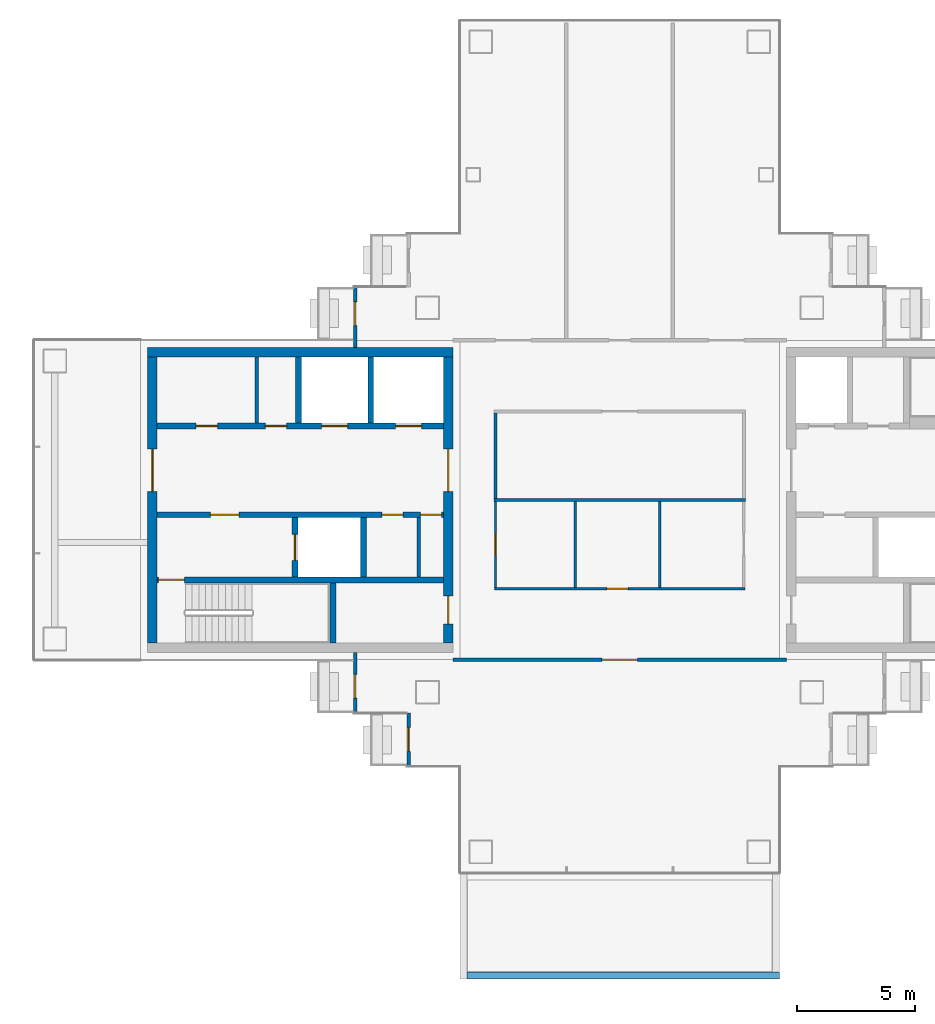
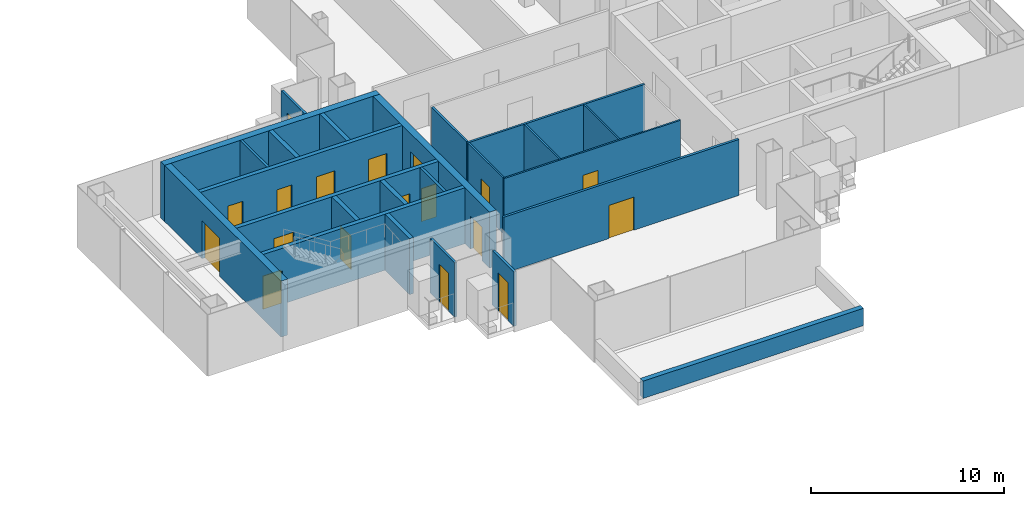
# One storey, part 11 of 16: 24 walls, 18 doors, 18 openings.
"""IFC4 building model written with IfcOpenShell, lengths in metres."""

from ifc_helpers import new_model, si_unit, direction, frame, frame_2d, origin, place, context, subcontext, project, spatial, rectangle, extrude, material, layer, layer_set, type_object, element, fill, save


model = new_model("IFC4")

# Units and contexts
model_context = context("Model", 3, precision=1e-05, world=origin(), true_north=direction((0.0, 1.0)))
body_context = subcontext(model_context, "Body", "Model", "MODEL_VIEW")
ifc_project = project(units=[si_unit("LENGTHUNIT", "METRE"), si_unit("AREAUNIT", "SQUARE_METRE"), si_unit("VOLUMEUNIT", "CUBIC_METRE"), si_unit("PLANEANGLEUNIT", "RADIAN"), si_unit("MASSUNIT", "GRAM", prefix="KILO")], contexts=[model_context])

# Site, building, storey
site_placement = place(None, origin())
site = spatial("IfcSite", under=ifc_project, at=site_placement, CompositionType="ELEMENT")
building_placement = place(site_placement, origin())
building = spatial("IfcBuilding", under=site, at=building_placement, Name="Shamsa Quay Exchange Towers", CompositionType="ELEMENT")
storey_placement = place(building_placement, frame((0.0, 0.0, 182.699951171875)))
storey = spatial("IfcBuildingStorey", under=building, at=storey_placement, Name="L43", CompositionType="ELEMENT", Elevation=182.699951171875)

# Wall, opening, door
ifc_material_1 = material(Name="Aluminium EN AW-6063 T6, black anodised, with black enamelled glass infill", Category="aluminium")
ifc_layer_1 = layer(ifc_material_1, 0.14990234375)
ifc_layer_set_1 = layer_set([ifc_layer_1], Name="BALCONY DOOR BAY WALL 150")
wall_type_1 = type_object("IfcWallType", Name="BALCONY DOOR BAY WALL 150", PredefinedType="SOLIDWALL", material=ifc_layer_set_1)
wall_1_placement = place(storey_placement, frame((22.574951171875, 6.447998046875, 0.0), z_axis=(0.0, 0.0, 1.0), x_axis=(0.0, 1.0, 0.0)))
wall_1 = element("IfcWall", 1, at=wall_1_placement, inside=storey, type_object=wall_type_1, Name="Door bay T2-PKEN L43", PredefinedType="SOLIDWALL", context=body_context, shape_type="SweptSolid", body=[
    extrude(rectangle(XDim=2.552001953125, YDim=0.14990234375, at=frame_2d((1.27587890625, 0.0))), origin(), (0.0, 0.0, 1.0), 3.449951171875),
])
opening_1_placement = place(wall_1_placement, frame((0.927001953125, 0.0, 0.0)))
opening_1 = element("IfcOpeningElement", 2, at=opening_1_placement, cuts=wall_1, Name="Opening XD274", PredefinedType="OPENING", context=body_context, shape_type="SweptSolid", body=[
    extrude(rectangle(XDim=1.0, YDim=2.39990234375, at=frame_2d((0.5, 1.199951171875))), frame((0.0, 0.0849609375, 0.0), z_axis=(0.0, -1.0, 0.0), x_axis=(1.0, 0.0, 0.0)), (0.0, 0.0, 1.0), 0.169921875),
])
ifc_material_2 = material(Name="Aluminium EN AW-6063 T6, black anodised, with laminated glass leaf", Category="aluminium")
door_type_1 = type_object("IfcDoorType", Name="BALCONY DOOR 1000x2400", OperationType="SINGLE_SWING_LEFT", PredefinedType="DOOR", material=ifc_material_2)
door_1_placement = place(opening_1_placement, origin())
door_1 = element("IfcDoor", 3, at=door_1_placement, inside=storey, type_object=door_type_1, Name="Balcony door T2-PKEN L43", OperationType="SINGLE_SWING_LEFT", OverallHeight=2.39990234375, OverallWidth=1.0, PredefinedType="DOOR", context=body_context, shape_type="SweptSolid", body=[
    extrude(rectangle(XDim=1.0, YDim=2.39990234375, at=frame_2d((0.5, 1.199951171875))), frame((0.0, 0.02490234375, 0.0), z_axis=(0.0, -1.0, 0.0), x_axis=(1.0, 0.0, 0.0)), (0.0, 0.0, 1.0), 0.050048828125),
])
fill(opening_1, door_1)

wall_2_placement = place(storey_placement, frame((22.574951171875, -9.0, 0.0), z_axis=(0.0, 0.0, 1.0), x_axis=(0.0, 1.0, 0.0)))
wall_2 = element("IfcWall", 4, at=wall_2_placement, inside=storey, type_object=wall_type_1, Name="Door bay T2-PKWN L43", PredefinedType="SOLIDWALL", context=body_context, shape_type="SweptSolid", body=[
    extrude(rectangle(XDim=2.556884765625, YDim=0.14990234375, at=frame_2d((1.2783203125, 0.0))), origin(), (0.0, 0.0, 1.0), 3.449951171875),
])
opening_2_placement = place(wall_2_placement, frame((0.625, 0.0, 0.0)))
opening_2 = element("IfcOpeningElement", 5, at=opening_2_placement, cuts=wall_2, Name="Opening XD277", PredefinedType="OPENING", context=body_context, shape_type="SweptSolid", body=[
    extrude(rectangle(XDim=1.0, YDim=2.39990234375, at=frame_2d((0.5, 1.199951171875))), frame((0.0, 0.0849609375, 0.0), z_axis=(0.0, -1.0, 0.0), x_axis=(1.0, 0.0, 0.0)), (0.0, 0.0, 1.0), 0.169921875),
])
door_2_placement = place(opening_2_placement, origin())
door_2 = element("IfcDoor", 6, at=door_2_placement, inside=storey, type_object=door_type_1, Name="Balcony door T2-PKWN L43", OperationType="SINGLE_SWING_LEFT", OverallHeight=2.39990234375, OverallWidth=1.0, PredefinedType="DOOR", context=body_context, shape_type="SweptSolid", body=[
    extrude(rectangle(XDim=1.0, YDim=2.39990234375, at=frame_2d((0.5, 1.199951171875))), frame((0.0, 0.02490234375, 0.0), z_axis=(0.0, -1.0, 0.0), x_axis=(1.0, 0.0, 0.0)), (0.0, 0.0, 1.0), 0.050048828125),
])
fill(opening_2, door_2)

wall_3_placement = place(storey_placement, frame((24.824951171875, -11.25, 0.0), z_axis=(0.0, 0.0, 1.0), x_axis=(0.0, 1.0, 0.0)))
wall_3 = element("IfcWall", 7, at=wall_3_placement, inside=storey, type_object=wall_type_1, Name="Door bay T2-PKWN L43", PredefinedType="SOLIDWALL", context=body_context, shape_type="SweptSolid", body=[
    extrude(rectangle(XDim=2.25, YDim=0.14990234375, at=frame_2d((1.125, 0.0))), origin(), (0.0, 0.0, 1.0), 3.449951171875),
])
opening_3_placement = place(wall_3_placement, frame((0.625, 0.0, 0.0)))
opening_3 = element("IfcOpeningElement", 8, at=opening_3_placement, cuts=wall_3, Name="Opening XD278", PredefinedType="OPENING", context=body_context, shape_type="SweptSolid", body=[
    extrude(rectangle(XDim=1.0, YDim=2.39990234375, at=frame_2d((0.5, 1.199951171875))), frame((0.0, 0.0849609375, 0.0), z_axis=(0.0, -1.0, 0.0), x_axis=(1.0, 0.0, 0.0)), (0.0, 0.0, 1.0), 0.169921875),
])
door_3_placement = place(opening_3_placement, origin())
door_3 = element("IfcDoor", 9, at=door_3_placement, inside=storey, type_object=door_type_1, Name="Balcony door T2-PKWN L43", OperationType="SINGLE_SWING_RIGHT", OverallHeight=2.39990234375, OverallWidth=1.0, PredefinedType="DOOR", context=body_context, shape_type="SweptSolid", body=[
    extrude(rectangle(XDim=1.0, YDim=2.39990234375, at=frame_2d((0.5, 1.199951171875))), frame((0.0, 0.02490234375, 0.0), z_axis=(0.0, -1.0, 0.0), x_axis=(1.0, 0.0, 0.0)), (0.0, 0.0, 1.0), 0.050048828125),
])
fill(opening_3, door_3)

# Wall
ifc_material_3 = material(Name="Concrete C60/75", Category="concrete")
ifc_layer_2 = layer(ifc_material_3, 0.39990234375)
ifc_layer_set_2 = layer_set([ifc_layer_2], Name="CORE WALL 400 C60/75")
wall_type_2 = type_object("IfcWallType", Name="CORE WALL 400 C60/75", PredefinedType="SHEAR", material=ifc_layer_set_2)
wall_4_placement = place(storey_placement, frame((13.800048828125, 6.25, 0.0)))
element("IfcWall", 10, at=wall_4_placement, inside=storey, type_object=wall_type_2, Name="Core wall T2A-R20-PN", PredefinedType="SHEAR", context=body_context, shape_type="SweptSolid", body=[
    extrude(rectangle(XDim=12.89990234375, YDim=0.39990234375, at=frame_2d((6.449951171875, 0.0))), origin(), (0.0, 0.0, 1.0), 3.550048828125),
])

# Wall, opening, door
wall_5_placement = place(storey_placement, frame((14.0, 6.050048828125, 0.0), z_axis=(0.0, 0.0, 1.0), x_axis=(0.0, -1.0, 0.0)))
wall_5 = element("IfcWall", 11, at=wall_5_placement, inside=storey, type_object=wall_type_2, Name="Core wall T2A-R20-PF", PredefinedType="SHEAR", context=body_context, shape_type="SweptSolid", body=[
    extrude(rectangle(XDim=12.10009765625, YDim=0.39990234375, at=frame_2d((6.050048828125, 0.0))), origin(), (0.0, 0.0, 1.0), 3.550048828125),
])
opening_4_placement = place(wall_5_placement, frame((3.89990234375, 0.0, 0.0)))
opening_4 = element("IfcOpeningElement", 12, at=opening_4_placement, cuts=wall_5, Name="Opening T2A-R20-LBD01", PredefinedType="OPENING", context=body_context, shape_type="SweptSolid", body=[
    extrude(rectangle(XDim=1.800048828125, YDim=2.39990234375, at=frame_2d((0.89990234375, 1.199951171875))), frame((0.0, 0.2099609375, 0.0), z_axis=(0.0, -1.0, 0.0), x_axis=(1.0, 0.0, 0.0)), (0.0, 0.0, 1.0), 0.419921875),
])
ifc_material_4 = material(Name="Steel, fire rated", Category="steel")
door_type_2 = type_object("IfcDoorType", Name="LIFT LOBBY DOOR PAIR 1800", OperationType="DOUBLE_DOOR_SINGLE_SWING", PredefinedType="DOOR", material=ifc_material_4)
door_4_placement = place(opening_4_placement, origin())
door_4 = element("IfcDoor", 13, at=door_4_placement, inside=storey, type_object=door_type_2, Name="T2A-R20-LBD01", OperationType="DOUBLE_DOOR_SINGLE_SWING", OverallHeight=2.39990234375, OverallWidth=1.800048828125, PredefinedType="DOOR", context=body_context, shape_type="SweptSolid", body=[
    extrude(rectangle(XDim=1.800048828125, YDim=2.39990234375, at=frame_2d((0.89990234375, 1.199951171875))), frame((0.0, 0.02490234375, 0.0), z_axis=(0.0, -1.0, 0.0), x_axis=(1.0, 0.0, 0.0)), (0.0, 0.0, 1.0), 0.050048828125),
])
fill(opening_4, door_4)

# Wall, openings, doors
wall_6_placement = place(storey_placement, frame((26.5, 6.050048828125, 0.0), z_axis=(0.0, 0.0, 1.0), x_axis=(0.0, -1.0, 0.0)))
wall_6 = element("IfcWall", 14, at=wall_6_placement, inside=storey, type_object=wall_type_2, Name="Core wall T2A-R20-PB", PredefinedType="SHEAR", context=body_context, shape_type="SweptSolid", body=[
    extrude(rectangle(XDim=12.10009765625, YDim=0.39990234375, at=frame_2d((6.050048828125, 0.0))), origin(), (0.0, 0.0, 1.0), 3.550048828125),
])
opening_5_placement = place(wall_6_placement, frame((10.10009765625, 0.0, 0.0)))
opening_5 = element("IfcOpeningElement", 15, at=opening_5_placement, cuts=wall_6, Name="Opening T2A-R20-RD02", PredefinedType="OPENING", context=body_context, shape_type="SweptSolid", body=[
    extrude(rectangle(XDim=1.199951171875, YDim=2.10009765625, at=frame_2d((0.60009765625, 1.050048828125))), frame((0.0, 0.2099609375, 0.0), z_axis=(0.0, -1.0, 0.0), x_axis=(1.0, 0.0, 0.0)), (0.0, 0.0, 1.0), 0.419921875),
])
opening_6_placement = place(wall_6_placement, frame((3.89990234375, 0.0, 0.0)))
opening_6 = element("IfcOpeningElement", 16, at=opening_6_placement, cuts=wall_6, Name="Opening T2A-R20-LBD03", PredefinedType="OPENING", context=body_context, shape_type="SweptSolid", body=[
    extrude(rectangle(XDim=1.800048828125, YDim=2.39990234375, at=frame_2d((0.89990234375, 1.199951171875))), frame((0.0, 0.2099609375, 0.0), z_axis=(0.0, -1.0, 0.0), x_axis=(1.0, 0.0, 0.0)), (0.0, 0.0, 1.0), 0.419921875),
])
door_5_placement = place(opening_6_placement, origin())
door_5 = element("IfcDoor", 17, at=door_5_placement, inside=storey, type_object=door_type_2, Name="T2A-R20-LBD03", OperationType="DOUBLE_DOOR_SINGLE_SWING", OverallHeight=2.39990234375, OverallWidth=1.800048828125, PredefinedType="DOOR", context=body_context, shape_type="SweptSolid", body=[
    extrude(rectangle(XDim=1.800048828125, YDim=2.39990234375, at=frame_2d((0.89990234375, 1.199951171875))), frame((0.0, 0.02490234375, 0.0), z_axis=(0.0, -1.0, 0.0), x_axis=(1.0, 0.0, 0.0)), (0.0, 0.0, 1.0), 0.050048828125),
])
fill(opening_6, door_5)
door_type_3 = type_object("IfcDoorType", Name="RISER ACCESS DOOR 1200", OperationType="SINGLE_SWING_LEFT", PredefinedType="DOOR", material=ifc_material_4)
door_6_placement = place(opening_5_placement, origin())
door_6 = element("IfcDoor", 18, at=door_6_placement, inside=storey, type_object=door_type_3, Name="T2A-R20-RD02", OperationType="SINGLE_SWING_RIGHT", OverallHeight=2.10009765625, OverallWidth=1.199951171875, PredefinedType="DOOR", context=body_context, shape_type="SweptSolid", body=[
    extrude(rectangle(XDim=1.199951171875, YDim=2.10009765625, at=frame_2d((0.60009765625, 1.050048828125))), frame((0.0, 0.02490234375, 0.0), z_axis=(0.0, -1.0, 0.0), x_axis=(1.0, 0.0, 0.0)), (0.0, 0.0, 1.0), 0.050048828125),
])
fill(opening_5, door_6)

# Walls
ifc_material_5 = material(Name="Gypsum board on steel studs, EI 60", Category="steel")
ifc_layer_3 = layer(ifc_material_5, 0.14990234375)
ifc_layer_set_3 = layer_set([ifc_layer_3], Name="FIRE PARTITION 150")
wall_type_3 = type_object("IfcWallType", Name="FIRE PARTITION 150", PredefinedType="PARTITIONING", material=ifc_layer_set_3)
wall_7_placement = place(storey_placement, frame((25.25, -3.25, 0.0), z_axis=(0.0, 0.0, 1.0), x_axis=(0.0, 1.0, 0.0)))
element("IfcWall", 19, at=wall_7_placement, inside=storey, type_object=wall_type_3, Name="Partition T2A-R20-EC0", PredefinedType="PARTITIONING", context=body_context, shape_type="SweptSolid", body=[
    extrude(rectangle(XDim=2.5, YDim=0.14990234375, at=frame_2d((1.25, 0.0))), origin(), (0.0, 0.0, 1.0), 3.550048828125),
])
wall_8_placement = place(storey_placement, frame((18.39990234375, 3.25, 0.0), z_axis=(0.0, 0.0, 1.0), x_axis=(0.0, 1.0, 0.0)))
element("IfcWall", 20, at=wall_8_placement, inside=storey, type_object=wall_type_3, Name="Partition T2A-R20-FC0", PredefinedType="PARTITIONING", context=body_context, shape_type="SweptSolid", body=[
    extrude(rectangle(XDim=2.800048828125, YDim=0.14990234375, at=frame_2d((1.39990234375, 0.0))), origin(), (0.0, 0.0, 1.0), 3.550048828125),
])
ifc_material_6 = material(Name="Laminated fire-resisting glass in a metal frame", Category="glass")
ifc_layer_4 = layer(ifc_material_6, 0.125)
ifc_layer_set_4 = layer_set([ifc_layer_4], Name="Glazed partition 125 mm EI 60")
wall_type_4 = type_object("IfcWallType", Name="Glazed partition 125 mm EI 60", PredefinedType="PARTITIONING", material=ifc_layer_set_4)
wall_9_placement = place(storey_placement, frame((28.5, 3.6875, 0.0), z_axis=(0.0, 0.0, 1.0), x_axis=(0.0, -1.0, 0.0)))
element("IfcWall", 21, at=wall_9_placement, inside=storey, type_object=wall_type_4, Name="Partition T2-R20-W05", PredefinedType="PARTITIONING", context=body_context, shape_type="SweptSolid", body=[
    extrude(rectangle(XDim=3.625, YDim=0.125, at=frame_2d((1.8125, 0.0))), origin(), (0.0, 0.0, 1.0), 3.550048828125),
])
wall_10_placement = place(storey_placement, frame((39.0625, 0.0, 0.0), z_axis=(0.0, 0.0, 1.0), x_axis=(-1.0, 0.0, 0.0)))
element("IfcWall", 22, at=wall_10_placement, inside=storey, type_object=wall_type_4, Name="Partition T2-R20-W10", PredefinedType="PARTITIONING", context=body_context, shape_type="SweptSolid", body=[
    extrude(rectangle(XDim=10.625, YDim=0.125, at=frame_2d((5.3125, 0.0))), origin(), (0.0, 0.0, 1.0), 3.550048828125),
])

# Wall, opening, door
ifc_material_7 = material(Name="Gypsum board partition on metal studs")
ifc_layer_5 = layer(ifc_material_7, 0.10009765625)
ifc_layer_set_5 = layer_set([ifc_layer_5], Name="Partition 100 mm NOT RATED")
wall_type_5 = type_object("IfcWallType", Name="Partition 100 mm NOT RATED", PredefinedType="PARTITIONING", material=ifc_layer_set_5)
wall_11_placement = place(storey_placement, frame((28.449951171875, -3.75, 0.0)))
wall_11 = element("IfcWall", 23, at=wall_11_placement, inside=storey, type_object=wall_type_5, Name="Partition T2-R20-W02", PredefinedType="PARTITIONING", context=body_context, shape_type="SweptSolid", body=[
    extrude(rectangle(XDim=10.60009765625, YDim=0.10009765625, at=frame_2d((5.300048828125, 0.0))), origin(), (0.0, 0.0, 1.0), 3.550048828125),
])
opening_7_placement = place(wall_11_placement, frame((4.756103515625, 0.0, 0.0)))
opening_7 = element("IfcOpeningElement", 24, at=opening_7_placement, cuts=wall_11, Name="Opening T2-R20-D04", PredefinedType="OPENING", context=body_context, shape_type="SweptSolid", body=[
    extrude(rectangle(XDim=0.89990234375, YDim=2.10009765625, at=frame_2d((0.449951171875, 1.050048828125))), frame((0.0, 0.06005859375, 0.0), z_axis=(0.0, -1.0, 0.0), x_axis=(1.0, 0.0, 0.0)), (0.0, 0.0, 1.0), 0.1201171875),
])
ifc_material_8 = material(Name="Timber door leaf in a metal frame", Category="wood")
door_type_4 = type_object("IfcDoorType", Name="Door 900x2100 NOT RATED", OperationType="NOTDEFINED", PredefinedType="DOOR", material=ifc_material_8)
door_7_placement = place(opening_7_placement, origin())
door_7 = element("IfcDoor", 25, at=door_7_placement, inside=storey, type_object=door_type_4, Name="Door T2-R20-D04", OperationType="SINGLE_SWING_LEFT", OverallHeight=2.10009765625, OverallWidth=0.89990234375, PredefinedType="DOOR", context=body_context, shape_type="SweptSolid", body=[
    extrude(rectangle(XDim=0.89990234375, YDim=2.10009765625, at=frame_2d((0.449951171875, 1.050048828125))), frame((0.0, 0.02490234375, 0.0), z_axis=(0.0, -1.0, 0.0), x_axis=(1.0, 0.0, 0.0)), (0.0, 0.0, 1.0), 0.050048828125),
])
fill(opening_7, door_7)

wall_12_placement = place(storey_placement, frame((28.5, -0.0625, 0.0), z_axis=(0.0, 0.0, 1.0), x_axis=(0.0, -1.0, 0.0)))
wall_12 = element("IfcWall", 26, at=wall_12_placement, inside=storey, type_object=wall_type_5, Name="Partition T2-R20-W03", PredefinedType="PARTITIONING", context=body_context, shape_type="SweptSolid", body=[
    extrude(rectangle(XDim=3.637451171875, YDim=0.10009765625, at=frame_2d((1.81884765625, 0.0))), origin(), (0.0, 0.0, 1.0), 3.550048828125),
])
opening_8_placement = place(wall_12_placement, frame((1.362548828125, 0.0, 0.0)))
opening_8 = element("IfcOpeningElement", 27, at=opening_8_placement, cuts=wall_12, Name="Opening T2-R20-D06", PredefinedType="OPENING", context=body_context, shape_type="SweptSolid", body=[
    extrude(rectangle(XDim=0.89990234375, YDim=2.10009765625, at=frame_2d((0.449951171875, 1.050048828125))), frame((0.0, 0.06005859375, 0.0), z_axis=(0.0, -1.0, 0.0), x_axis=(1.0, 0.0, 0.0)), (0.0, 0.0, 1.0), 0.1201171875),
])
door_8_placement = place(opening_8_placement, origin())
door_8 = element("IfcDoor", 28, at=door_8_placement, inside=storey, type_object=door_type_4, Name="Door T2-R20-D06", OperationType="SINGLE_SWING_RIGHT", OverallHeight=2.10009765625, OverallWidth=0.89990234375, PredefinedType="DOOR", context=body_context, shape_type="SweptSolid", body=[
    extrude(rectangle(XDim=0.89990234375, YDim=2.10009765625, at=frame_2d((0.449951171875, 1.050048828125))), frame((0.0, 0.02490234375, 0.0), z_axis=(0.0, -1.0, 0.0), x_axis=(1.0, 0.0, 0.0)), (0.0, 0.0, 1.0), 0.050048828125),
])
fill(opening_8, door_8)

# Walls
for number, where, z_axis, x_axis, name in (
    (29, (35.4375, -0.0625, 0.0), (0.0, 0.0, 1.0), (0.0, -1.0, 0.0), "Partition T2-R20-W09"),
    (30, (31.875, -0.0625, 0.0), (0.0, 0.0, 1.0), (0.0, -1.0, 0.0), "Partition T2-R20-W11"),
):
    element("IfcWall", number, at=place(storey_placement, frame(where, z_axis=z_axis, x_axis=x_axis)), inside=storey, type_object=wall_type_5, Name=name, PredefinedType="PARTITIONING", context=body_context, shape_type="SweptSolid", body=[
        extrude(rectangle(XDim=3.637451171875, YDim=0.10009765625, at=frame_2d((1.81884765625, 0.0))), origin(), (0.0, 0.0, 1.0), 3.550048828125),
    ])

# Wall, opening, door
ifc_layer_6 = layer(ifc_material_7, 0.14990234375)
ifc_layer_set_6 = layer_set([ifc_layer_6], Name="Partition 150 mm EI 60")
wall_type_6 = type_object("IfcWallType", Name="Partition 150 mm EI 60", PredefinedType="PARTITIONING", material=ifc_layer_set_6)
wall_13_placement = place(storey_placement, frame((40.800048828125, -6.75, 0.0), z_axis=(0.0, 0.0, 1.0), x_axis=(-1.0, 0.0, 0.0)))
wall_13 = element("IfcWall", 31, at=wall_13_placement, inside=storey, type_object=wall_type_6, Name="Partition T2-R20-W08", PredefinedType="PARTITIONING", context=body_context, shape_type="SweptSolid", body=[
    extrude(rectangle(XDim=14.10009765625, YDim=0.14990234375, at=frame_2d((7.050048828125, 0.0))), origin(), (0.0, 0.0, 1.0), 3.550048828125),
])
opening_9_placement = place(wall_13_placement, frame((6.300048828125, 0.0, 0.0)))
opening_9 = element("IfcOpeningElement", 32, at=opening_9_placement, cuts=wall_13, Name="Opening T2-R20-D08", PredefinedType="OPENING", context=body_context, shape_type="SweptSolid", body=[
    extrude(rectangle(XDim=1.5, YDim=2.10009765625, at=frame_2d((0.75, 1.050048828125))), frame((0.0, 0.0849609375, 0.0), z_axis=(0.0, -1.0, 0.0), x_axis=(1.0, 0.0, 0.0)), (0.0, 0.0, 1.0), 0.169921875),
])
door_type_5 = type_object("IfcDoorType", Name="Door 1500x2100 FD30S pair", OperationType="NOTDEFINED", PredefinedType="DOOR", material=ifc_material_8)
door_9_placement = place(opening_9_placement, origin())
door_9 = element("IfcDoor", 33, at=door_9_placement, inside=storey, type_object=door_type_5, Name="Door T2-R20-D08", OperationType="DOUBLE_DOOR_SINGLE_SWING", OverallHeight=2.10009765625, OverallWidth=1.5, PredefinedType="DOOR", context=body_context, shape_type="SweptSolid", body=[
    extrude(rectangle(XDim=1.5, YDim=2.10009765625, at=frame_2d((0.75, 1.050048828125))), frame((0.0, 0.02490234375, 0.0), z_axis=(0.0, -1.0, 0.0), x_axis=(1.0, 0.0, 0.0)), (0.0, 0.0, 1.0), 0.050048828125),
])
fill(opening_9, door_9)

# Wall
ifc_material_9 = material(Name="Reinforced concrete C30/37", Category="concrete")
ifc_layer_7 = layer(ifc_material_9, 0.300048828125)
ifc_layer_set_7 = layer_set([ifc_layer_7], Name="ROOF PARAPET 300 C30/37")
wall_type_7 = type_object("IfcWallType", Name="ROOF PARAPET 300 C30/37", PredefinedType="PARAPET", material=ifc_layer_set_7)
wall_14_placement = place(storey_placement, frame((27.300048828125, -20.10009765625, 0.0)))
element("IfcWall", 34, at=wall_14_placement, inside=storey, type_object=wall_type_7, Name="Parapet L42 2", PredefinedType="PARAPET", context=body_context, shape_type="SweptSolid", body=[
    extrude(rectangle(XDim=13.199951171875, YDim=0.300048828125, at=frame_2d((6.60009765625, 0.0))), origin(), (0.0, 0.0, 1.0), 1.10009765625),
])

# Wall, opening, door
ifc_material_10 = material(Name="Concrete C50/60", Category="concrete")
ifc_layer_8 = layer(ifc_material_10, 0.25)
ifc_layer_set_8 = layer_set([ifc_layer_8], Name="SHAFT WALL 250 C50/60")
wall_type_8 = type_object("IfcWallType", Name="SHAFT WALL 250 C50/60", PredefinedType="SHEAR", material=ifc_layer_set_8)
wall_15_placement = place(storey_placement, frame((26.300048828125, -3.375, 0.0), z_axis=(0.0, 0.0, 1.0), x_axis=(-1.0, 0.0, 0.0)))
wall_15 = element("IfcWall", 35, at=wall_15_placement, inside=storey, type_object=wall_type_8, Name="Shaft wall T2A-R20-STL", PredefinedType="SHEAR", context=body_context, shape_type="SweptSolid", body=[
    extrude(rectangle(XDim=12.10009765625, YDim=0.25, at=frame_2d((6.050048828125, 0.0))), origin(), (0.0, 0.0, 1.0), 3.550048828125),
])
opening_10_placement = place(wall_15_placement, frame((10.949951171875, 0.0, 0.0)))
opening_10 = element("IfcOpeningElement", 36, at=opening_10_placement, cuts=wall_15, Name="Opening T2A-R20-SD04", PredefinedType="OPENING", context=body_context, shape_type="SweptSolid", body=[
    extrude(rectangle(XDim=1.10009765625, YDim=2.10009765625, at=frame_2d((0.550048828125, 1.050048828125))), frame((0.0, 0.135009765625, 0.0), z_axis=(0.0, -1.0, 0.0), x_axis=(1.0, 0.0, 0.0)), (0.0, 0.0, 1.0), 0.27001953125),
])
door_type_6 = type_object("IfcDoorType", Name="STAIR DOOR 1100", OperationType="SINGLE_SWING_LEFT", PredefinedType="DOOR", material=ifc_material_4)
door_10_placement = place(opening_10_placement, origin())
door_10 = element("IfcDoor", 37, at=door_10_placement, inside=storey, type_object=door_type_6, Name="T2A-R20-SD04", OperationType="SINGLE_SWING_RIGHT", OverallHeight=2.10009765625, OverallWidth=1.10009765625, PredefinedType="DOOR", context=body_context, shape_type="SweptSolid", body=[
    extrude(rectangle(XDim=1.10009765625, YDim=2.10009765625, at=frame_2d((0.550048828125, 1.050048828125))), frame((0.0, 0.02490234375, 0.0), z_axis=(0.0, -1.0, 0.0), x_axis=(1.0, 0.0, 0.0)), (0.0, 0.0, 1.0), 0.050048828125),
])
fill(opening_10, door_10)

# Wall
wall_16_placement = place(storey_placement, frame((21.625, -6.050048828125, 0.0), z_axis=(0.0, 0.0, 1.0), x_axis=(0.0, 1.0, 0.0)))
element("IfcWall", 38, at=wall_16_placement, inside=storey, type_object=wall_type_8, Name="Shaft wall T2A-R20-STF", PredefinedType="SHEAR", context=body_context, shape_type="SweptSolid", body=[
    extrude(rectangle(XDim=2.550048828125, YDim=0.25, at=frame_2d((1.27490234375, 0.0))), origin(), (0.0, 0.0, 1.0), 3.550048828125),
])

# Wall, openings, doors
wall_17_placement = place(storey_placement, frame((26.300048828125, -0.625, 0.0), z_axis=(0.0, 0.0, 1.0), x_axis=(-1.0, 0.0, 0.0)))
wall_17 = element("IfcWall", 39, at=wall_17_placement, inside=storey, type_object=wall_type_8, Name="Shaft wall T2A-R20-B", PredefinedType="SHEAR", context=body_context, shape_type="SweptSolid", body=[
    extrude(rectangle(XDim=12.10009765625, YDim=0.25, at=frame_2d((6.050048828125, 0.0))), origin(), (0.0, 0.0, 1.0), 3.550048828125),
])
opening_11_placement = place(wall_17_placement, frame((8.64990234375, 0.0, 0.0)))
opening_11 = element("IfcOpeningElement", 40, at=opening_11_placement, cuts=wall_17, Name="Opening T2A-R20-FD05", PredefinedType="OPENING", context=body_context, shape_type="SweptSolid", body=[
    extrude(rectangle(XDim=1.199951171875, YDim=2.10009765625, at=frame_2d((0.60009765625, 1.050048828125))), frame((0.0, 0.135009765625, 0.0), z_axis=(0.0, -1.0, 0.0), x_axis=(1.0, 0.0, 0.0)), (0.0, 0.0, 1.0), 0.27001953125),
])
opening_12_placement = place(wall_17_placement, frame((1.699951171875, 0.0, 0.0)))
opening_12 = element("IfcOpeningElement", 41, at=opening_12_placement, cuts=wall_17, Name="Opening T2A-R20-SV06", PredefinedType="OPENING", context=body_context, shape_type="SweptSolid", body=[
    extrude(rectangle(XDim=0.89990234375, YDim=2.10009765625, at=frame_2d((0.449951171875, 1.050048828125))), frame((0.0, 0.135009765625, 0.0), z_axis=(0.0, -1.0, 0.0), x_axis=(1.0, 0.0, 0.0)), (0.0, 0.0, 1.0), 0.27001953125),
])
opening_13_placement = place(wall_17_placement, frame((0.074951171875, 0.0, 0.0)))
opening_13 = element("IfcOpeningElement", 42, at=opening_13_placement, cuts=wall_17, Name="Opening T2A-R20-SV07", PredefinedType="OPENING", context=body_context, shape_type="SweptSolid", body=[
    extrude(rectangle(XDim=0.89990234375, YDim=2.10009765625, at=frame_2d((0.449951171875, 1.050048828125))), frame((0.0, 0.135009765625, 0.0), z_axis=(0.0, -1.0, 0.0), x_axis=(1.0, 0.0, 0.0)), (0.0, 0.0, 1.0), 0.27001953125),
])
door_type_7 = type_object("IfcDoorType", Name="FIRE SERVICE LOBBY DOOR 1200", OperationType="SINGLE_SWING_LEFT", PredefinedType="DOOR", material=ifc_material_4)
door_11_placement = place(opening_11_placement, origin())
door_11 = element("IfcDoor", 43, at=door_11_placement, inside=storey, type_object=door_type_7, Name="T2A-R20-FD05", OperationType="SINGLE_SWING_RIGHT", OverallHeight=2.10009765625, OverallWidth=1.199951171875, PredefinedType="DOOR", context=body_context, shape_type="SweptSolid", body=[
    extrude(rectangle(XDim=1.199951171875, YDim=2.10009765625, at=frame_2d((0.60009765625, 1.050048828125))), frame((0.0, 0.02490234375, 0.0), z_axis=(0.0, -1.0, 0.0), x_axis=(1.0, 0.0, 0.0)), (0.0, 0.0, 1.0), 0.050048828125),
])
fill(opening_11, door_11)
door_type_8 = type_object("IfcDoorType", Name="SERVICE ROOM DOOR 900", OperationType="SINGLE_SWING_LEFT", PredefinedType="DOOR", material=ifc_material_4)
door_12_placement = place(opening_12_placement, origin())
door_12 = element("IfcDoor", 44, at=door_12_placement, inside=storey, type_object=door_type_8, Name="T2A-R20-SV06", OperationType="SINGLE_SWING_LEFT", OverallHeight=2.10009765625, OverallWidth=0.89990234375, PredefinedType="DOOR", context=body_context, shape_type="SweptSolid", body=[
    extrude(rectangle(XDim=0.89990234375, YDim=2.10009765625, at=frame_2d((0.449951171875, 1.050048828125))), frame((0.0, 0.02490234375, 0.0), z_axis=(0.0, -1.0, 0.0), x_axis=(1.0, 0.0, 0.0)), (0.0, 0.0, 1.0), 0.050048828125),
])
fill(opening_12, door_12)
door_13_placement = place(opening_13_placement, origin())
door_13 = element("IfcDoor", 45, at=door_13_placement, inside=storey, type_object=door_type_8, Name="T2A-R20-SV07", OperationType="SINGLE_SWING_LEFT", OverallHeight=2.10009765625, OverallWidth=0.89990234375, PredefinedType="DOOR", context=body_context, shape_type="SweptSolid", body=[
    extrude(rectangle(XDim=0.89990234375, YDim=2.10009765625, at=frame_2d((0.449951171875, 1.050048828125))), frame((0.0, 0.02490234375, 0.0), z_axis=(0.0, -1.0, 0.0), x_axis=(1.0, 0.0, 0.0)), (0.0, 0.0, 1.0), 0.050048828125),
])
fill(opening_13, door_13)

# Wall, opening, door
wall_18_placement = place(storey_placement, frame((20.02490234375, -3.25, 0.0), z_axis=(0.0, 0.0, 1.0), x_axis=(0.0, 1.0, 0.0)))
wall_18 = element("IfcWall", 46, at=wall_18_placement, inside=storey, type_object=wall_type_8, Name="Shaft wall T2A-R20-FFF", PredefinedType="SHEAR", context=body_context, shape_type="SweptSolid", body=[
    extrude(rectangle(XDim=2.5, YDim=0.25, at=frame_2d((1.25, 0.0))), origin(), (0.0, 0.0, 1.0), 3.550048828125),
])
opening_14_placement = place(wall_18_placement, frame((0.699951171875, 0.0, 0.0)))
opening_14 = element("IfcOpeningElement", 47, at=opening_14_placement, cuts=wall_18, Name="Opening T2A-R20-LDF08", PredefinedType="OPENING", context=body_context, shape_type="SweptSolid", body=[
    extrude(rectangle(XDim=1.10009765625, YDim=2.10009765625, at=frame_2d((0.550048828125, 1.050048828125))), frame((0.0, 0.135009765625, 0.0), z_axis=(0.0, -1.0, 0.0), x_axis=(1.0, 0.0, 0.0)), (0.0, 0.0, 1.0), 0.27001953125),
])
door_type_9 = type_object("IfcDoorType", Name="FIRE SERVICE LANDING DOOR 1100", OperationType="SLIDING_TO_LEFT", PredefinedType="DOOR", material=ifc_material_4)
door_14_placement = place(opening_14_placement, origin())
door_14 = element("IfcDoor", 48, at=door_14_placement, inside=storey, type_object=door_type_9, Name="T2A-R20-LDF08", OperationType="SLIDING_TO_LEFT", OverallHeight=2.10009765625, OverallWidth=1.10009765625, PredefinedType="DOOR", context=body_context, shape_type="SweptSolid", body=[
    extrude(rectangle(XDim=1.10009765625, YDim=2.10009765625, at=frame_2d((0.550048828125, 1.050048828125))), frame((0.0, 0.02490234375, 0.0), z_axis=(0.0, -1.0, 0.0), x_axis=(1.0, 0.0, 0.0)), (0.0, 0.0, 1.0), 0.050048828125),
])
fill(opening_14, door_14)

# Wall
wall_19_placement = place(storey_placement, frame((22.925048828125, -3.25, 0.0), z_axis=(0.0, 0.0, 1.0), x_axis=(0.0, 1.0, 0.0)))
element("IfcWall", 49, at=wall_19_placement, inside=storey, type_object=wall_type_8, Name="Shaft wall T2A-R20-FFB", PredefinedType="SHEAR", context=body_context, shape_type="SweptSolid", body=[
    extrude(rectangle(XDim=2.5, YDim=0.25, at=frame_2d((1.25, 0.0))), origin(), (0.0, 0.0, 1.0), 3.550048828125),
])

# Wall, openings, doors
wall_20_placement = place(storey_placement, frame((14.199951171875, 3.125, 0.0)))
wall_20 = element("IfcWall", 50, at=wall_20_placement, inside=storey, type_object=wall_type_8, Name="Shaft wall T2A-R20-N", PredefinedType="SHEAR", context=body_context, shape_type="SweptSolid", body=[
    extrude(rectangle(XDim=12.10009765625, YDim=0.25, at=frame_2d((6.050048828125, 0.0))), origin(), (0.0, 0.0, 1.0), 3.550048828125),
])
opening_15_placement = place(wall_20_placement, frame((6.949951171875, 0.0, 0.0)))
opening_15 = element("IfcOpeningElement", 51, at=opening_15_placement, cuts=wall_20, Name="Opening T2A-R20-LD09", PredefinedType="OPENING", context=body_context, shape_type="SweptSolid", body=[
    extrude(rectangle(XDim=1.10009765625, YDim=2.10009765625, at=frame_2d((0.550048828125, 1.050048828125))), frame((0.0, 0.135009765625, 0.0), z_axis=(0.0, -1.0, 0.0), x_axis=(1.0, 0.0, 0.0)), (0.0, 0.0, 1.0), 0.27001953125),
])
opening_16_placement = place(wall_20_placement, frame((10.074951171875, 0.0, 0.0)))
opening_16 = element("IfcOpeningElement", 52, at=opening_16_placement, cuts=wall_20, Name="Opening T2A-R20-LD10", PredefinedType="OPENING", context=body_context, shape_type="SweptSolid", body=[
    extrude(rectangle(XDim=1.10009765625, YDim=2.10009765625, at=frame_2d((0.550048828125, 1.050048828125))), frame((0.0, 0.135009765625, 0.0), z_axis=(0.0, -1.0, 0.0), x_axis=(1.0, 0.0, 0.0)), (0.0, 0.0, 1.0), 0.27001953125),
])
opening_17_placement = place(wall_20_placement, frame((1.64990234375, 0.0, 0.0)))
opening_17 = element("IfcOpeningElement", 53, at=opening_17_placement, cuts=wall_20, Name="Opening T2A-R20-SV11", PredefinedType="OPENING", context=body_context, shape_type="SweptSolid", body=[
    extrude(rectangle(XDim=0.89990234375, YDim=2.10009765625, at=frame_2d((0.449951171875, 1.050048828125))), frame((0.0, 0.135009765625, 0.0), z_axis=(0.0, -1.0, 0.0), x_axis=(1.0, 0.0, 0.0)), (0.0, 0.0, 1.0), 0.27001953125),
])
opening_18_placement = place(wall_20_placement, frame((4.574951171875, 0.0, 0.0)))
opening_18 = element("IfcOpeningElement", 54, at=opening_18_placement, cuts=wall_20, Name="Opening T2A-R20-SV12", PredefinedType="OPENING", context=body_context, shape_type="SweptSolid", body=[
    extrude(rectangle(XDim=0.89990234375, YDim=2.10009765625, at=frame_2d((0.449951171875, 1.050048828125))), frame((0.0, 0.135009765625, 0.0), z_axis=(0.0, -1.0, 0.0), x_axis=(1.0, 0.0, 0.0)), (0.0, 0.0, 1.0), 0.27001953125),
])
door_type_10 = type_object("IfcDoorType", Name="LANDING DOOR 1100", OperationType="SLIDING_TO_LEFT", PredefinedType="DOOR", material=ifc_material_4)
door_15_placement = place(opening_15_placement, origin())
door_15 = element("IfcDoor", 55, at=door_15_placement, inside=storey, type_object=door_type_10, Name="T2A-R20-LD09", OperationType="SLIDING_TO_LEFT", OverallHeight=2.10009765625, OverallWidth=1.10009765625, PredefinedType="DOOR", context=body_context, shape_type="SweptSolid", body=[
    extrude(rectangle(XDim=1.10009765625, YDim=2.10009765625, at=frame_2d((0.550048828125, 1.050048828125))), frame((0.0, 0.02490234375, 0.0), z_axis=(0.0, -1.0, 0.0), x_axis=(1.0, 0.0, 0.0)), (0.0, 0.0, 1.0), 0.050048828125),
])
fill(opening_15, door_15)
door_16_placement = place(opening_16_placement, origin())
door_16 = element("IfcDoor", 56, at=door_16_placement, inside=storey, type_object=door_type_10, Name="T2A-R20-LD10", OperationType="SLIDING_TO_LEFT", OverallHeight=2.10009765625, OverallWidth=1.10009765625, PredefinedType="DOOR", context=body_context, shape_type="SweptSolid", body=[
    extrude(rectangle(XDim=1.10009765625, YDim=2.10009765625, at=frame_2d((0.550048828125, 1.050048828125))), frame((0.0, 0.02490234375, 0.0), z_axis=(0.0, -1.0, 0.0), x_axis=(1.0, 0.0, 0.0)), (0.0, 0.0, 1.0), 0.050048828125),
])
fill(opening_16, door_16)
door_17_placement = place(opening_17_placement, origin())
door_17 = element("IfcDoor", 57, at=door_17_placement, inside=storey, type_object=door_type_8, Name="T2A-R20-SV11", OperationType="SINGLE_SWING_LEFT", OverallHeight=2.10009765625, OverallWidth=0.89990234375, PredefinedType="DOOR", context=body_context, shape_type="SweptSolid", body=[
    extrude(rectangle(XDim=0.89990234375, YDim=2.10009765625, at=frame_2d((0.449951171875, 1.050048828125))), frame((0.0, 0.02490234375, 0.0), z_axis=(0.0, -1.0, 0.0), x_axis=(1.0, 0.0, 0.0)), (0.0, 0.0, 1.0), 0.050048828125),
])
fill(opening_17, door_17)
door_18_placement = place(opening_18_placement, origin())
door_18 = element("IfcDoor", 58, at=door_18_placement, inside=storey, type_object=door_type_8, Name="T2A-R20-SV12", OperationType="SINGLE_SWING_LEFT", OverallHeight=2.10009765625, OverallWidth=0.89990234375, PredefinedType="DOOR", context=body_context, shape_type="SweptSolid", body=[
    extrude(rectangle(XDim=0.89990234375, YDim=2.10009765625, at=frame_2d((0.449951171875, 1.050048828125))), frame((0.0, 0.02490234375, 0.0), z_axis=(0.0, -1.0, 0.0), x_axis=(1.0, 0.0, 0.0)), (0.0, 0.0, 1.0), 0.050048828125),
])
fill(opening_18, door_18)

# Walls
for number, where, z_axis, x_axis, name in (
    (59, (20.175048828125, 3.25, 0.0), (0.0, 0.0, 1.0), (0.0, 1.0, 0.0), "Shaft wall T2A-R20-D1"),
    (60, (23.22509765625, 3.25, 0.0), (0.0, 0.0, 1.0), (0.0, 1.0, 0.0), "Shaft wall T2A-R20-D2"),
):
    element("IfcWall", number, at=place(storey_placement, frame(where, z_axis=z_axis, x_axis=x_axis)), inside=storey, type_object=wall_type_8, Name=name, PredefinedType="SHEAR", context=body_context, shape_type="SweptSolid", body=[
        extrude(rectangle(XDim=2.800048828125, YDim=0.25, at=frame_2d((1.39990234375, 0.0))), origin(), (0.0, 0.0, 1.0), 3.550048828125),
    ])

save(model, "model.ifc")
